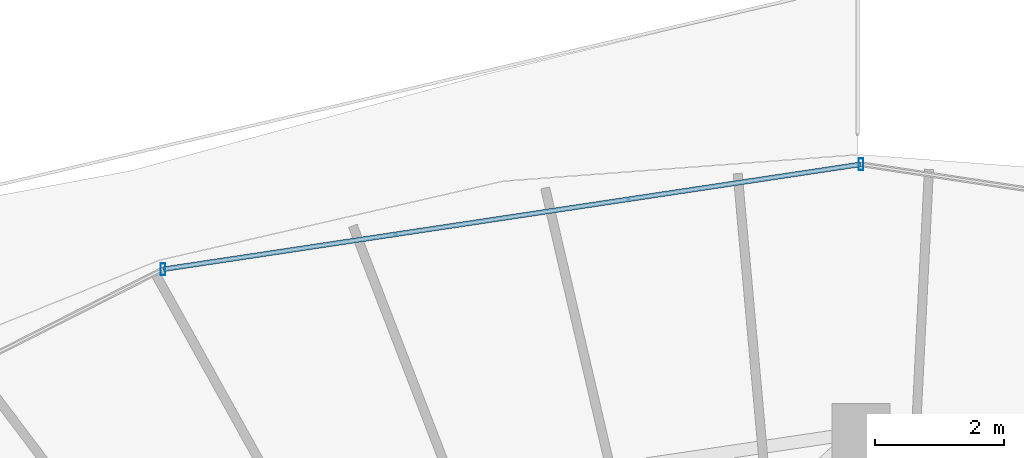
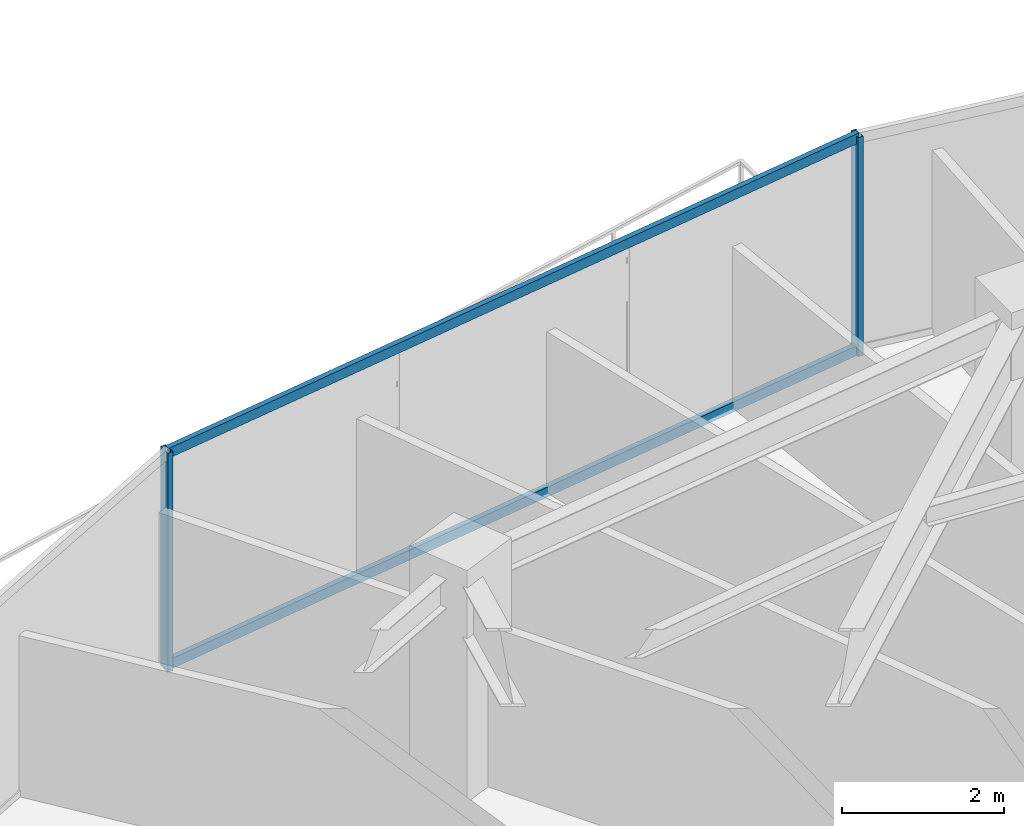
# One storey, part 18 of 31: 4 members, 1 element without a shape of its own.
"""IFC4 building model written with IfcOpenShell, lengths in metres."""

from ifc_helpers import new_model, si_unit, direction, frame, origin, origin_2d, place, context, subcontext, project, spatial, hollow_rectangle, extrude, material, material_profile, profile_set, type_object, element, aggregate, save


model = new_model("IFC4")

# Units and contexts
model_context = context("Model", 3, precision=1e-05, world=origin(), true_north=direction((0.0, 1.0)))
body_context = subcontext(model_context, "Body", "Model", "MODEL_VIEW")
ifc_project = project(units=[si_unit("LENGTHUNIT", "METRE"), si_unit("AREAUNIT", "SQUARE_METRE"), si_unit("VOLUMEUNIT", "CUBIC_METRE"), si_unit("PLANEANGLEUNIT", "RADIAN"), si_unit("MASSUNIT", "GRAM", prefix="KILO")], contexts=[model_context])

# Site, building, storey
site_placement = place(None, origin())
site = spatial("IfcSite", under=ifc_project, at=site_placement, CompositionType="ELEMENT")
building_placement = place(site_placement, origin())
building = spatial("IfcBuilding", under=site, at=building_placement, Name="Vorneva Point Tower", CompositionType="ELEMENT")
storey_placement = place(building_placement, frame((0.0, 0.0, 193.10009765625)))
storey = spatial("IfcBuildingStorey", under=building, at=storey_placement, Name="L52", CompositionType="ELEMENT", Elevation=193.10009765625)

# Curtain wall, members
ifc_material = material(Name="Pale anodised aluminium", Category="aluminium")
curtain_wall_type = type_object("IfcCurtainWallType", Name="CW-RES-SYS", PredefinedType="NOTDEFINED", material=ifc_material)
curtain_wall_placement = place(storey_placement, origin())
curtain_wall = element("IfcCurtainWall", 1, at=curtain_wall_placement, inside=storey, type_object=curtain_wall_type, Name="L52 Unitised Curtain Wall CW-L52-R02", PredefinedType="NOTDEFINED")
ifc_material_profile_1 = material_profile(ifc_material, hollow_rectangle(XDim=0.074951171875, YDim=0.179931640625, WallThickness=0.00390625, at=origin_2d()), Name="AL-MUL 180x75x4")
ifc_profile_set_1 = profile_set([ifc_material_profile_1], Name="Pale anodised aluminium")
member_type_1 = type_object("IfcMemberType", Name="CW-MUL-180", PredefinedType="MULLION", material=ifc_profile_set_1)
member_1_placement = place(storey_placement, frame((38.0, 47.35009765625, -0.0400390625), z_axis=(0.0, 0.0, 1.0), x_axis=(1.0, 0.0, 0.0)))
member_1 = element("IfcMember", 2, at=member_1_placement, type_object=member_type_1, Name="CW-L52-R02 Mullion 03", PredefinedType="MULLION", context=body_context, shape_type="SweptSolid", body=[
    extrude(hollow_rectangle(XDim=0.074951171875, YDim=0.179931640625, WallThickness=0.00390625, at=origin_2d()), origin(), (0.0, 0.0, 1.0), 3.31005859375),
])
member_2_placement = place(storey_placement, frame((27.19677734375, 45.724853515625, -0.0400390625), z_axis=(0.0, 0.0, 1.0), x_axis=(1.0, 0.0, 0.0)))
member_2 = element("IfcMember", 3, at=member_2_placement, type_object=member_type_1, Name="CW-L52-R02 Mullion 04", PredefinedType="MULLION", context=body_context, shape_type="SweptSolid", body=[
    extrude(hollow_rectangle(XDim=0.074951171875, YDim=0.179931640625, WallThickness=0.00390625, at=origin_2d()), origin(), (0.0, 0.0, 1.0), 3.31005859375),
])
ifc_material_profile_2 = material_profile(ifc_material, hollow_rectangle(XDim=0.074951171875, YDim=0.14990234375, WallThickness=0.00390625, at=origin_2d()), Name="AL-TRN 150x75x4")
ifc_profile_set_2 = profile_set([ifc_material_profile_2], Name="Pale anodised aluminium")
member_type_2 = type_object("IfcMemberType", Name="CW-TRN-150", PredefinedType="USERDEFINED", material=ifc_profile_set_2)
member_3_placement = place(storey_placement, frame((38.0, 47.35009765625, 0.02001953125), z_axis=(-0.988872333273, -0.148766624239, 0.0), x_axis=(0.148766624239, -0.988872333273, 0.0)))
member_3 = element("IfcMember", 4, at=member_3_placement, type_object=member_type_2, Name="CW-L52-R02 Transom 03.1", ObjectType="TRANSOM", PredefinedType="USERDEFINED", context=body_context, shape_type="SweptSolid", body=[
    extrude(hollow_rectangle(XDim=0.074951171875, YDim=0.14990234375, WallThickness=0.00390625, at=origin_2d()), origin(), (0.0, 0.0, 1.0), 10.9248046875),
])
member_4_placement = place(storey_placement, frame((38.0, 47.35009765625, 3.219970703125), z_axis=(-0.988872333273, -0.148766624239, 0.0), x_axis=(0.148766624239, -0.988872333273, 0.0)))
member_4 = element("IfcMember", 5, at=member_4_placement, type_object=member_type_2, Name="CW-L52-R02 Transom 03.2", ObjectType="TRANSOM", PredefinedType="USERDEFINED", context=body_context, shape_type="SweptSolid", body=[
    extrude(hollow_rectangle(XDim=0.074951171875, YDim=0.14990234375, WallThickness=0.00390625, at=origin_2d()), origin(), (0.0, 0.0, 1.0), 10.9248046875),
])
aggregate(curtain_wall, [member_1, member_2, member_3, member_4])

save(model, "model.ifc")
